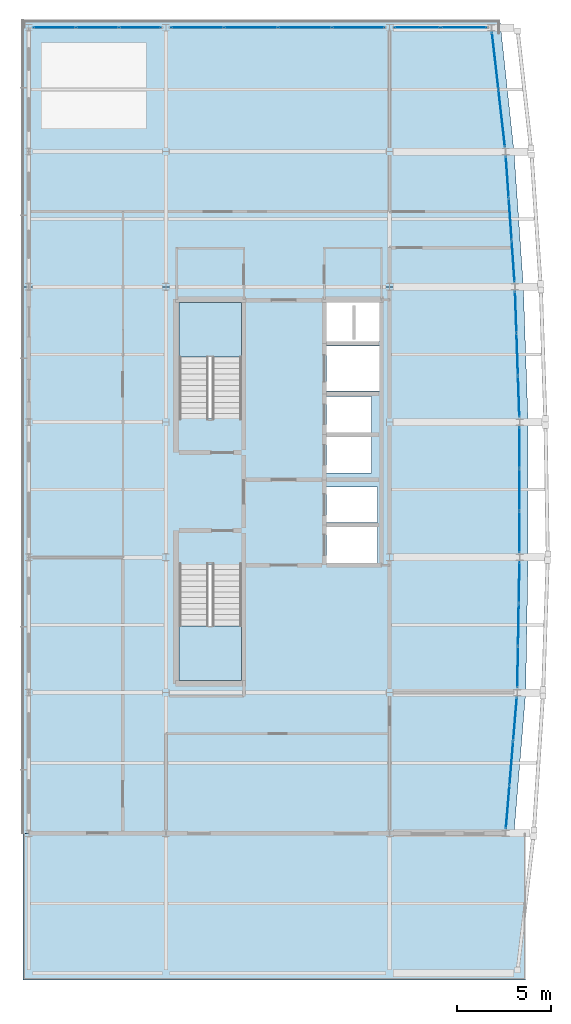
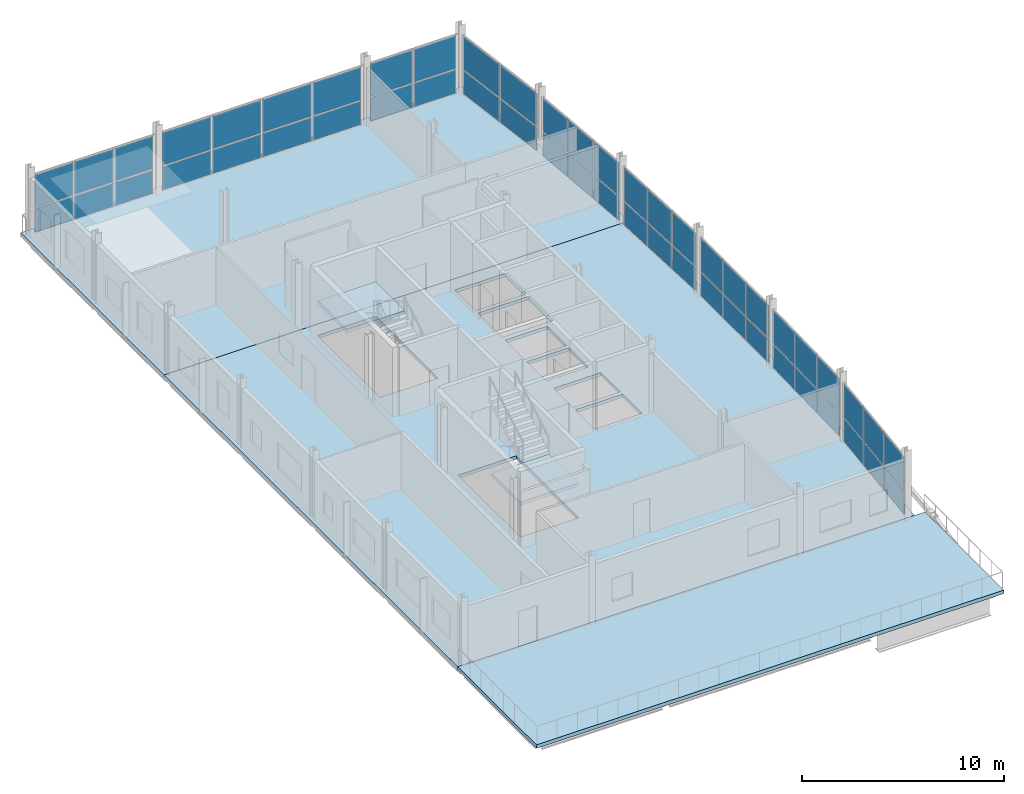
# One storey, part 13 of 19: 52 plates, 5 slabs, 11 elements without a shape of their own.
"""IFC4 building model written with IfcOpenShell, lengths in metres."""

from ifc_helpers import new_model, si_unit, direction, frame, origin, origin_2d, place, context, subcontext, project, spatial, polyline, rectangle, outline, extrude, material, layer, layer_set, type_object, element, aggregate, save


model = new_model("IFC4")

# Units and contexts
model_context = context("Model", 3, precision=1e-05, world=origin(), true_north=direction((0.0, 1.0)))
body_context = subcontext(model_context, "Body", "Model", "MODEL_VIEW")
ifc_project = project(units=[si_unit("LENGTHUNIT", "METRE"), si_unit("AREAUNIT", "SQUARE_METRE"), si_unit("VOLUMEUNIT", "CUBIC_METRE"), si_unit("PLANEANGLEUNIT", "RADIAN"), si_unit("MASSUNIT", "GRAM", prefix="KILO")], contexts=[model_context])

# Site, building, storey
site_placement = place(None, origin())
site = spatial("IfcSite", under=ifc_project, at=site_placement, CompositionType="ELEMENT")
building_placement = place(site_placement, origin())
building = spatial("IfcBuilding", under=site, at=building_placement, Name="Quillay Park Conservatory", CompositionType="ELEMENT")
storey_placement = place(building_placement, frame((0.0, 0.0, 35.10009765625)))
storey = spatial("IfcBuildingStorey", under=building, at=storey_placement, Name="L08", CompositionType="ELEMENT", Elevation=35.10009765625)

# Curtain wall, plates
ifc_material_1 = material(Name="Thermally Broken Anodised Aluminium 6063-T6", Category="aluminium")
ifc_layer_1 = layer(ifc_material_1, 0.179931640625)
ifc_layer_set_1 = layer_set([ifc_layer_1], Name="UNITISED CURTAIN WALL TOWER (Thermally Broken Anodised Aluminium 6063-T6)")
curtain_wall_type = type_object("IfcCurtainWallType", Name="UNITISED CURTAIN WALL TOWER", PredefinedType="USERDEFINED", material=ifc_layer_set_1)
curtain_wall_1_placement = place(storey_placement, origin())
curtain_wall_1 = element("IfcCurtainWall", 1, at=curtain_wall_1_placement, inside=storey, type_object=curtain_wall_type, Name="L08 Unitised Curtain Wall 078", ObjectType="UNITISED CURTAIN WALL", PredefinedType="USERDEFINED")
ifc_material_2 = material(Name="Low-E Double Glazing (Laminated Tempered)", Category="glass")
ifc_layer_2 = layer(ifc_material_2, 0.028076171875)
ifc_layer_set_2 = layer_set([ifc_layer_2], Name="CURTAIN WALL GLAZED PANEL 28 (Low-E Double Glazing (Laminated Tempered))")
plate_type = type_object("IfcPlateType", Name="CURTAIN WALL GLAZED PANEL 28", PredefinedType="CURTAIN_PANEL", material=ifc_layer_set_2)
plate_1_placement = place(storey_placement, frame((26.433349609375, 76.599609375, 0.06982421875), z_axis=(0.0, 0.0, 1.0), x_axis=(-0.083047802572, -0.996545564682, 0.0)))
plate_1 = element("IfcPlate", 2, at=plate_1_placement, type_object=plate_type, Name="CW-T1 panel 1.1", PredefinedType="CURTAIN_PANEL", context=body_context, shape_type="SweptSolid", body=[
    extrude(rectangle(XDim=2.270263671875, YDim=0.028076171875, at=origin_2d()), origin(), (0.0, 0.0, 1.0), 1.406494140625),
])
plate_2_placement = place(storey_placement, frame((26.433349609375, 76.599609375, 1.54638671875), z_axis=(0.0, 0.0, 1.0), x_axis=(-0.083047802572, -0.996545564682, 0.0)))
plate_2 = element("IfcPlate", 3, at=plate_2_placement, type_object=plate_type, Name="CW-T1 panel 1.2", PredefinedType="CURTAIN_PANEL", context=body_context, shape_type="SweptSolid", body=[
    extrude(rectangle(XDim=2.270263671875, YDim=0.028076171875, at=origin_2d()), origin(), (0.0, 0.0, 1.0), 1.982421875),
])
plate_3_placement = place(storey_placement, frame((26.237548828125, 74.25, 0.06982421875), z_axis=(0.0, 0.0, 1.0), x_axis=(-0.083047802572, -0.996545564682, 0.0)))
plate_3 = element("IfcPlate", 4, at=plate_3_placement, type_object=plate_type, Name="CW-T1 panel 2.1", PredefinedType="CURTAIN_PANEL", context=body_context, shape_type="SweptSolid", body=[
    extrude(rectangle(XDim=2.305419921875, YDim=0.028076171875, at=origin_2d()), origin(), (0.0, 0.0, 1.0), 1.406494140625),
])
plate_4_placement = place(storey_placement, frame((26.237548828125, 74.25, 1.54638671875), z_axis=(0.0, 0.0, 1.0), x_axis=(-0.083047802572, -0.996545564682, 0.0)))
plate_4 = element("IfcPlate", 5, at=plate_4_placement, type_object=plate_type, Name="CW-T1 panel 2.2", PredefinedType="CURTAIN_PANEL", context=body_context, shape_type="SweptSolid", body=[
    extrude(rectangle(XDim=2.305419921875, YDim=0.028076171875, at=origin_2d()), origin(), (0.0, 0.0, 1.0), 1.982421875),
])
plate_5_placement = place(storey_placement, frame((26.041748046875, 71.900390625, 0.06982421875), z_axis=(0.0, 0.0, 1.0), x_axis=(-0.083047802572, -0.996545564682, 0.0)))
plate_5 = element("IfcPlate", 6, at=plate_5_placement, type_object=plate_type, Name="CW-T1 panel 3.1", PredefinedType="CURTAIN_PANEL", context=body_context, shape_type="SweptSolid", body=[
    extrude(rectangle(XDim=2.270263671875, YDim=0.028076171875, at=origin_2d()), origin(), (0.0, 0.0, 1.0), 1.406494140625),
])
plate_6_placement = place(storey_placement, frame((26.041748046875, 71.900390625, 1.54638671875), z_axis=(0.0, 0.0, 1.0), x_axis=(-0.083047802572, -0.996545564682, 0.0)))
plate_6 = element("IfcPlate", 7, at=plate_6_placement, type_object=plate_type, Name="CW-T1 panel 3.2", PredefinedType="CURTAIN_PANEL", context=body_context, shape_type="SweptSolid", body=[
    extrude(rectangle(XDim=2.270263671875, YDim=0.028076171875, at=origin_2d()), origin(), (0.0, 0.0, 1.0), 1.982421875),
])
aggregate(curtain_wall_1, [plate_1, plate_2, plate_3, plate_4, plate_5, plate_6])

curtain_wall_2_placement = place(storey_placement, origin())
curtain_wall_2 = element("IfcCurtainWall", 8, at=curtain_wall_2_placement, inside=storey, type_object=curtain_wall_type, Name="L08 Unitised Curtain Wall 079", ObjectType="UNITISED CURTAIN WALL", PredefinedType="USERDEFINED")
plate_7_placement = place(storey_placement, frame((26.651611328125, 83.84912109375, 0.06982421875), z_axis=(0.0, 0.0, 1.0), x_axis=(-0.017350329071, -0.999849471711, 0.0)))
plate_7 = element("IfcPlate", 9, at=plate_7_placement, type_object=plate_type, Name="CW-T1 panel 1.1", PredefinedType="CURTAIN_PANEL", context=body_context, shape_type="SweptSolid", body=[
    extrude(rectangle(XDim=2.162109375, YDim=0.028076171875, at=origin_2d()), origin(), (0.0, 0.0, 1.0), 1.406494140625),
])
plate_8_placement = place(storey_placement, frame((26.651611328125, 83.84912109375, 1.54638671875), z_axis=(0.0, 0.0, 1.0), x_axis=(-0.017350329071, -0.999849471711, 0.0)))
plate_8 = element("IfcPlate", 10, at=plate_8_placement, type_object=plate_type, Name="CW-T1 panel 1.2", PredefinedType="CURTAIN_PANEL", context=body_context, shape_type="SweptSolid", body=[
    extrude(rectangle(XDim=2.162109375, YDim=0.028076171875, at=origin_2d()), origin(), (0.0, 0.0, 1.0), 1.982421875),
])
plate_9_placement = place(storey_placement, frame((26.612548828125, 81.60009765625, 0.06982421875), z_axis=(0.0, 0.0, 1.0), x_axis=(-0.017350329071, -0.999849471711, 0.0)))
plate_9 = element("IfcPlate", 11, at=plate_9_placement, type_object=plate_type, Name="CW-T1 panel 2.1", PredefinedType="CURTAIN_PANEL", context=body_context, shape_type="SweptSolid", body=[
    extrude(rectangle(XDim=2.197021484375, YDim=0.028076171875, at=origin_2d()), origin(), (0.0, 0.0, 1.0), 1.406494140625),
])
plate_10_placement = place(storey_placement, frame((26.612548828125, 81.60009765625, 1.54638671875), z_axis=(0.0, 0.0, 1.0), x_axis=(-0.017350329071, -0.999849471711, 0.0)))
plate_10 = element("IfcPlate", 12, at=plate_10_placement, type_object=plate_type, Name="CW-T1 panel 2.2", PredefinedType="CURTAIN_PANEL", context=body_context, shape_type="SweptSolid", body=[
    extrude(rectangle(XDim=2.197021484375, YDim=0.028076171875, at=origin_2d()), origin(), (0.0, 0.0, 1.0), 1.982421875),
])
plate_11_placement = place(storey_placement, frame((26.573486328125, 79.350830078125, 0.06982421875), z_axis=(0.0, 0.0, 1.0), x_axis=(-0.017350329071, -0.999849471711, 0.0)))
plate_11 = element("IfcPlate", 13, at=plate_11_placement, type_object=plate_type, Name="CW-T1 panel 3.1", PredefinedType="CURTAIN_PANEL", context=body_context, shape_type="SweptSolid", body=[
    extrude(rectangle(XDim=2.162109375, YDim=0.028076171875, at=origin_2d()), origin(), (0.0, 0.0, 1.0), 1.406494140625),
])
plate_12_placement = place(storey_placement, frame((26.573486328125, 79.350830078125, 1.54638671875), z_axis=(0.0, 0.0, 1.0), x_axis=(-0.017350329071, -0.999849471711, 0.0)))
plate_12 = element("IfcPlate", 14, at=plate_12_placement, type_object=plate_type, Name="CW-T1 panel 3.2", PredefinedType="CURTAIN_PANEL", context=body_context, shape_type="SweptSolid", body=[
    extrude(rectangle(XDim=2.162109375, YDim=0.028076171875, at=origin_2d()), origin(), (0.0, 0.0, 1.0), 1.982421875),
])
aggregate(curtain_wall_2, [plate_7, plate_8, plate_9, plate_10, plate_11, plate_12])

curtain_wall_3_placement = place(storey_placement, origin())
curtain_wall_3 = element("IfcCurtainWall", 15, at=curtain_wall_3_placement, inside=storey, type_object=curtain_wall_type, Name="L08 Unitised Curtain Wall 080", ObjectType="UNITISED CURTAIN WALL", PredefinedType="USERDEFINED")
plate_13_placement = place(storey_placement, frame((26.675048828125, 91.049072265625, 0.06982421875), z_axis=(0.0, 0.0, 1.0), x_axis=(0.0, -1.0, 0.0)))
plate_13 = element("IfcPlate", 16, at=plate_13_placement, type_object=plate_type, Name="CW-T1 panel 1.1", PredefinedType="CURTAIN_PANEL", context=body_context, shape_type="SweptSolid", body=[
    extrude(rectangle(XDim=2.16162109375, YDim=0.028076171875, at=origin_2d()), origin(), (0.0, 0.0, 1.0), 1.406494140625),
])
plate_14_placement = place(storey_placement, frame((26.675048828125, 91.049072265625, 1.54638671875), z_axis=(0.0, 0.0, 1.0), x_axis=(0.0, -1.0, 0.0)))
plate_14 = element("IfcPlate", 17, at=plate_14_placement, type_object=plate_type, Name="CW-T1 panel 1.2", PredefinedType="CURTAIN_PANEL", context=body_context, shape_type="SweptSolid", body=[
    extrude(rectangle(XDim=2.16162109375, YDim=0.028076171875, at=origin_2d()), origin(), (0.0, 0.0, 1.0), 1.982421875),
])
plate_15_placement = place(storey_placement, frame((26.675048828125, 88.800048828125, 0.06982421875), z_axis=(0.0, 0.0, 1.0), x_axis=(0.0, -1.0, 0.0)))
plate_15 = element("IfcPlate", 18, at=plate_15_placement, type_object=plate_type, Name="CW-T1 panel 2.1", PredefinedType="CURTAIN_PANEL", context=body_context, shape_type="SweptSolid", body=[
    extrude(rectangle(XDim=2.19677734375, YDim=0.028076171875, at=origin_2d()), origin(), (0.0, 0.0, 1.0), 1.406494140625),
])
plate_16_placement = place(storey_placement, frame((26.675048828125, 88.800048828125, 1.54638671875), z_axis=(0.0, 0.0, 1.0), x_axis=(0.0, -1.0, 0.0)))
plate_16 = element("IfcPlate", 19, at=plate_16_placement, type_object=plate_type, Name="CW-T1 panel 2.2", PredefinedType="CURTAIN_PANEL", context=body_context, shape_type="SweptSolid", body=[
    extrude(rectangle(XDim=2.19677734375, YDim=0.028076171875, at=origin_2d()), origin(), (0.0, 0.0, 1.0), 1.982421875),
])
plate_17_placement = place(storey_placement, frame((26.675048828125, 86.55078125, 0.06982421875), z_axis=(0.0, 0.0, 1.0), x_axis=(0.0, -1.0, 0.0)))
plate_17 = element("IfcPlate", 20, at=plate_17_placement, type_object=plate_type, Name="CW-T1 panel 3.1", PredefinedType="CURTAIN_PANEL", context=body_context, shape_type="SweptSolid", body=[
    extrude(rectangle(XDim=2.16162109375, YDim=0.028076171875, at=origin_2d()), origin(), (0.0, 0.0, 1.0), 1.406494140625),
])
plate_18_placement = place(storey_placement, frame((26.675048828125, 86.55078125, 1.54638671875), z_axis=(0.0, 0.0, 1.0), x_axis=(0.0, -1.0, 0.0)))
plate_18 = element("IfcPlate", 21, at=plate_18_placement, type_object=plate_type, Name="CW-T1 panel 3.2", PredefinedType="CURTAIN_PANEL", context=body_context, shape_type="SweptSolid", body=[
    extrude(rectangle(XDim=2.16162109375, YDim=0.028076171875, at=origin_2d()), origin(), (0.0, 0.0, 1.0), 1.982421875),
])
aggregate(curtain_wall_3, [plate_13, plate_14, plate_15, plate_16, plate_17, plate_18])

curtain_wall_4_placement = place(storey_placement, origin())
curtain_wall_4 = element("IfcCurtainWall", 22, at=curtain_wall_4_placement, inside=storey, type_object=curtain_wall_type, Name="L08 Unitised Curtain Wall 081", ObjectType="UNITISED CURTAIN WALL", PredefinedType="USERDEFINED")
plate_19_placement = place(storey_placement, frame((26.471923828125, 98.249267578125, 0.06982421875), z_axis=(0.0, 0.0, 1.0), x_axis=(0.034713338537, -0.999397310446, 0.0)))
plate_19 = element("IfcPlate", 23, at=plate_19_placement, type_object=plate_type, Name="CW-T1 panel 1.1", PredefinedType="CURTAIN_PANEL", context=body_context, shape_type="SweptSolid", body=[
    extrude(rectangle(XDim=2.1630859375, YDim=0.028076171875, at=origin_2d()), origin(), (0.0, 0.0, 1.0), 1.406494140625),
])
plate_20_placement = place(storey_placement, frame((26.471923828125, 98.249267578125, 1.54638671875), z_axis=(0.0, 0.0, 1.0), x_axis=(0.034713338537, -0.999397310446, 0.0)))
plate_20 = element("IfcPlate", 24, at=plate_20_placement, type_object=plate_type, Name="CW-T1 panel 1.2", PredefinedType="CURTAIN_PANEL", context=body_context, shape_type="SweptSolid", body=[
    extrude(rectangle(XDim=2.1630859375, YDim=0.028076171875, at=origin_2d()), origin(), (0.0, 0.0, 1.0), 1.982421875),
])
plate_21_placement = place(storey_placement, frame((26.550048828125, 96.0, 0.06982421875), z_axis=(0.0, 0.0, 1.0), x_axis=(0.034713338537, -0.999397310446, 0.0)))
plate_21 = element("IfcPlate", 25, at=plate_21_placement, type_object=plate_type, Name="CW-T1 panel 2.1", PredefinedType="CURTAIN_PANEL", context=body_context, shape_type="SweptSolid", body=[
    extrude(rectangle(XDim=2.197998046875, YDim=0.028076171875, at=origin_2d()), origin(), (0.0, 0.0, 1.0), 1.406494140625),
])
plate_22_placement = place(storey_placement, frame((26.550048828125, 96.0, 1.54638671875), z_axis=(0.0, 0.0, 1.0), x_axis=(0.034713338537, -0.999397310446, 0.0)))
plate_22 = element("IfcPlate", 26, at=plate_22_placement, type_object=plate_type, Name="CW-T1 panel 2.2", PredefinedType="CURTAIN_PANEL", context=body_context, shape_type="SweptSolid", body=[
    extrude(rectangle(XDim=2.197998046875, YDim=0.028076171875, at=origin_2d()), origin(), (0.0, 0.0, 1.0), 1.982421875),
])
plate_23_placement = place(storey_placement, frame((26.628173828125, 93.750732421875, 0.06982421875), z_axis=(0.0, 0.0, 1.0), x_axis=(0.034713338537, -0.999397310446, 0.0)))
plate_23 = element("IfcPlate", 27, at=plate_23_placement, type_object=plate_type, Name="CW-T1 panel 3.1", PredefinedType="CURTAIN_PANEL", context=body_context, shape_type="SweptSolid", body=[
    extrude(rectangle(XDim=2.1630859375, YDim=0.028076171875, at=origin_2d()), origin(), (0.0, 0.0, 1.0), 1.406494140625),
])
plate_24_placement = place(storey_placement, frame((26.628173828125, 93.750732421875, 1.54638671875), z_axis=(0.0, 0.0, 1.0), x_axis=(0.034713338537, -0.999397310446, 0.0)))
plate_24 = element("IfcPlate", 28, at=plate_24_placement, type_object=plate_type, Name="CW-T1 panel 3.2", PredefinedType="CURTAIN_PANEL", context=body_context, shape_type="SweptSolid", body=[
    extrude(rectangle(XDim=2.1630859375, YDim=0.028076171875, at=origin_2d()), origin(), (0.0, 0.0, 1.0), 1.982421875),
])
aggregate(curtain_wall_4, [plate_19, plate_20, plate_21, plate_22, plate_23, plate_24])

curtain_wall_5_placement = place(storey_placement, origin())
curtain_wall_5 = element("IfcCurtainWall", 29, at=curtain_wall_5_placement, inside=storey, type_object=curtain_wall_type, Name="L08 Unitised Curtain Wall 082", ObjectType="UNITISED CURTAIN WALL", PredefinedType="USERDEFINED")
plate_25_placement = place(storey_placement, frame((26.018798828125, 105.449462890625, 0.06982421875), z_axis=(0.0, 0.0, 1.0), x_axis=(0.069264217159, -0.99759835015, 0.0)))
plate_25 = element("IfcPlate", 30, at=plate_25_placement, type_object=plate_type, Name="CW-T1 panel 1.1", PredefinedType="CURTAIN_PANEL", context=body_context, shape_type="SweptSolid", body=[
    extrude(rectangle(XDim=2.16748046875, YDim=0.028076171875, at=origin_2d()), origin(), (0.0, 0.0, 1.0), 1.406494140625),
])
plate_26_placement = place(storey_placement, frame((26.018798828125, 105.449462890625, 1.54638671875), z_axis=(0.0, 0.0, 1.0), x_axis=(0.069264217159, -0.99759835015, 0.0)))
plate_26 = element("IfcPlate", 31, at=plate_26_placement, type_object=plate_type, Name="CW-T1 panel 1.2", PredefinedType="CURTAIN_PANEL", context=body_context, shape_type="SweptSolid", body=[
    extrude(rectangle(XDim=2.16748046875, YDim=0.028076171875, at=origin_2d()), origin(), (0.0, 0.0, 1.0), 1.982421875),
])
plate_27_placement = place(storey_placement, frame((26.175048828125, 103.199951171875, 0.06982421875), z_axis=(0.0, 0.0, 1.0), x_axis=(0.069264217159, -0.99759835015, 0.0)))
plate_27 = element("IfcPlate", 32, at=plate_27_placement, type_object=plate_type, Name="CW-T1 panel 2.1", PredefinedType="CURTAIN_PANEL", context=body_context, shape_type="SweptSolid", body=[
    extrude(rectangle(XDim=2.202392578125, YDim=0.028076171875, at=origin_2d()), origin(), (0.0, 0.0, 1.0), 1.406494140625),
])
plate_28_placement = place(storey_placement, frame((26.175048828125, 103.199951171875, 1.54638671875), z_axis=(0.0, 0.0, 1.0), x_axis=(0.069264217159, -0.99759835015, 0.0)))
plate_28 = element("IfcPlate", 33, at=plate_28_placement, type_object=plate_type, Name="CW-T1 panel 2.2", PredefinedType="CURTAIN_PANEL", context=body_context, shape_type="SweptSolid", body=[
    extrude(rectangle(XDim=2.202392578125, YDim=0.028076171875, at=origin_2d()), origin(), (0.0, 0.0, 1.0), 1.982421875),
])
plate_29_placement = place(storey_placement, frame((26.331298828125, 100.950439453125, 0.06982421875), z_axis=(0.0, 0.0, 1.0), x_axis=(0.069264217159, -0.99759835015, 0.0)))
plate_29 = element("IfcPlate", 34, at=plate_29_placement, type_object=plate_type, Name="CW-T1 panel 3.1", PredefinedType="CURTAIN_PANEL", context=body_context, shape_type="SweptSolid", body=[
    extrude(rectangle(XDim=2.16748046875, YDim=0.028076171875, at=origin_2d()), origin(), (0.0, 0.0, 1.0), 1.406494140625),
])
plate_30_placement = place(storey_placement, frame((26.331298828125, 100.950439453125, 1.54638671875), z_axis=(0.0, 0.0, 1.0), x_axis=(0.069264217159, -0.99759835015, 0.0)))
plate_30 = element("IfcPlate", 35, at=plate_30_placement, type_object=plate_type, Name="CW-T1 panel 3.2", PredefinedType="CURTAIN_PANEL", context=body_context, shape_type="SweptSolid", body=[
    extrude(rectangle(XDim=2.16748046875, YDim=0.028076171875, at=origin_2d()), origin(), (0.0, 0.0, 1.0), 1.982421875),
])
aggregate(curtain_wall_5, [plate_25, plate_26, plate_27, plate_28, plate_29, plate_30])

curtain_wall_6_placement = place(storey_placement, origin())
curtain_wall_6 = element("IfcCurtainWall", 36, at=curtain_wall_6_placement, inside=storey, type_object=curtain_wall_type, Name="L08 Unitised Curtain Wall 083", ObjectType="UNITISED CURTAIN WALL", PredefinedType="USERDEFINED")
plate_31_placement = place(storey_placement, frame((25.375732421875, 111.63330078125, 0.06982421875), z_axis=(0.0, 0.0, 1.0), x_axis=(0.112903218278, -0.993605989969, 0.0)))
plate_31 = element("IfcPlate", 37, at=plate_31_placement, type_object=plate_type, Name="CW-T1 panel 1.1", PredefinedType="CURTAIN_PANEL", context=body_context, shape_type="SweptSolid", body=[
    extrude(rectangle(XDim=3.016357421875, YDim=0.028076171875, at=origin_2d()), origin(), (0.0, 0.0, 1.0), 1.406494140625),
])
plate_32_placement = place(storey_placement, frame((25.375732421875, 111.63330078125, 1.54638671875), z_axis=(0.0, 0.0, 1.0), x_axis=(0.112903218278, -0.993605989969, 0.0)))
plate_32 = element("IfcPlate", 38, at=plate_32_placement, type_object=plate_type, Name="CW-T1 panel 1.2", PredefinedType="CURTAIN_PANEL", context=body_context, shape_type="SweptSolid", body=[
    extrude(rectangle(XDim=3.016357421875, YDim=0.028076171875, at=origin_2d()), origin(), (0.0, 0.0, 1.0), 1.982421875),
])
plate_33_placement = place(storey_placement, frame((25.72412109375, 108.566650390625, 0.06982421875), z_axis=(0.0, 0.0, 1.0), x_axis=(0.112903218278, -0.993605989969, 0.0)))
plate_33 = element("IfcPlate", 39, at=plate_33_placement, type_object=plate_type, Name="CW-T1 panel 2.1", PredefinedType="CURTAIN_PANEL", context=body_context, shape_type="SweptSolid", body=[
    extrude(rectangle(XDim=3.016357421875, YDim=0.028076171875, at=origin_2d()), origin(), (0.0, 0.0, 1.0), 1.406494140625),
])
plate_34_placement = place(storey_placement, frame((25.72412109375, 108.566650390625, 1.54638671875), z_axis=(0.0, 0.0, 1.0), x_axis=(0.112903218278, -0.993605989969, 0.0)))
plate_34 = element("IfcPlate", 40, at=plate_34_placement, type_object=plate_type, Name="CW-T1 panel 2.2", PredefinedType="CURTAIN_PANEL", context=body_context, shape_type="SweptSolid", body=[
    extrude(rectangle(XDim=3.016357421875, YDim=0.028076171875, at=origin_2d()), origin(), (0.0, 0.0, 1.0), 1.982421875),
])
aggregate(curtain_wall_6, [plate_31, plate_32, plate_33, plate_34])

curtain_wall_7_placement = place(storey_placement, origin())
curtain_wall_7 = element("IfcCurtainWall", 41, at=curtain_wall_7_placement, inside=storey, type_object=curtain_wall_type, Name="L08 Unitised Curtain Wall 084", ObjectType="UNITISED CURTAIN WALL", PredefinedType="USERDEFINED")
plate_35_placement = place(storey_placement, frame((1.91748046875, 113.39990234375, 0.06982421875), z_axis=(0.0, 0.0, 1.0), x_axis=(1.0, 0.0, 0.0)))
plate_35 = element("IfcPlate", 42, at=plate_35_placement, type_object=plate_type, Name="CW-T1 panel 1.1", PredefinedType="CURTAIN_PANEL", context=body_context, shape_type="SweptSolid", body=[
    extrude(rectangle(XDim=2.195068359375, YDim=0.028076171875, at=origin_2d()), origin(), (0.0, 0.0, 1.0), 1.406494140625),
])
plate_36_placement = place(storey_placement, frame((1.91748046875, 113.39990234375, 1.54638671875), z_axis=(0.0, 0.0, 1.0), x_axis=(1.0, 0.0, 0.0)))
plate_36 = element("IfcPlate", 43, at=plate_36_placement, type_object=plate_type, Name="CW-T1 panel 1.2", PredefinedType="CURTAIN_PANEL", context=body_context, shape_type="SweptSolid", body=[
    extrude(rectangle(XDim=2.195068359375, YDim=0.028076171875, at=origin_2d()), origin(), (0.0, 0.0, 1.0), 1.982421875),
])
plate_37_placement = place(storey_placement, frame((4.199951171875, 113.39990234375, 0.06982421875), z_axis=(0.0, 0.0, 1.0), x_axis=(1.0, 0.0, 0.0)))
plate_37 = element("IfcPlate", 44, at=plate_37_placement, type_object=plate_type, Name="CW-T1 panel 2.1", PredefinedType="CURTAIN_PANEL", context=body_context, shape_type="SweptSolid", body=[
    extrude(rectangle(XDim=2.22998046875, YDim=0.028076171875, at=origin_2d()), origin(), (0.0, 0.0, 1.0), 1.406494140625),
])
plate_38_placement = place(storey_placement, frame((4.199951171875, 113.39990234375, 1.54638671875), z_axis=(0.0, 0.0, 1.0), x_axis=(1.0, 0.0, 0.0)))
plate_38 = element("IfcPlate", 45, at=plate_38_placement, type_object=plate_type, Name="CW-T1 panel 2.2", PredefinedType="CURTAIN_PANEL", context=body_context, shape_type="SweptSolid", body=[
    extrude(rectangle(XDim=2.22998046875, YDim=0.028076171875, at=origin_2d()), origin(), (0.0, 0.0, 1.0), 1.982421875),
])
plate_39_placement = place(storey_placement, frame((6.482421875, 113.39990234375, 0.06982421875), z_axis=(0.0, 0.0, 1.0), x_axis=(1.0, 0.0, 0.0)))
plate_39 = element("IfcPlate", 46, at=plate_39_placement, type_object=plate_type, Name="CW-T1 panel 3.1", PredefinedType="CURTAIN_PANEL", context=body_context, shape_type="SweptSolid", body=[
    extrude(rectangle(XDim=2.195068359375, YDim=0.028076171875, at=origin_2d()), origin(), (0.0, 0.0, 1.0), 1.406494140625),
])
plate_40_placement = place(storey_placement, frame((6.482421875, 113.39990234375, 1.54638671875), z_axis=(0.0, 0.0, 1.0), x_axis=(1.0, 0.0, 0.0)))
plate_40 = element("IfcPlate", 47, at=plate_40_placement, type_object=plate_type, Name="CW-T1 panel 3.2", PredefinedType="CURTAIN_PANEL", context=body_context, shape_type="SweptSolid", body=[
    extrude(rectangle(XDim=2.195068359375, YDim=0.028076171875, at=origin_2d()), origin(), (0.0, 0.0, 1.0), 1.982421875),
])
aggregate(curtain_wall_7, [plate_35, plate_36, plate_37, plate_38, plate_39, plate_40])

curtain_wall_8_placement = place(storey_placement, origin())
curtain_wall_8 = element("IfcCurtainWall", 48, at=curtain_wall_8_placement, inside=storey, type_object=curtain_wall_type, Name="L08 Unitised Curtain Wall 085", ObjectType="UNITISED CURTAIN WALL", PredefinedType="USERDEFINED")
plate_41_placement = place(storey_placement, frame((9.5048828125, 113.39990234375, 0.06982421875), z_axis=(0.0, 0.0, 1.0), x_axis=(1.0, 0.0, 0.0)))
plate_41 = element("IfcPlate", 49, at=plate_41_placement, type_object=plate_type, Name="CW-T1 panel 1.1", PredefinedType="CURTAIN_PANEL", context=body_context, shape_type="SweptSolid", body=[
    extrude(rectangle(XDim=2.77001953125, YDim=0.028076171875, at=origin_2d()), origin(), (0.0, 0.0, 1.0), 1.406494140625),
])
plate_42_placement = place(storey_placement, frame((9.5048828125, 113.39990234375, 1.54638671875), z_axis=(0.0, 0.0, 1.0), x_axis=(1.0, 0.0, 0.0)))
plate_42 = element("IfcPlate", 50, at=plate_42_placement, type_object=plate_type, Name="CW-T1 panel 1.2", PredefinedType="CURTAIN_PANEL", context=body_context, shape_type="SweptSolid", body=[
    extrude(rectangle(XDim=2.77001953125, YDim=0.028076171875, at=origin_2d()), origin(), (0.0, 0.0, 1.0), 1.982421875),
])
plate_43_placement = place(storey_placement, frame((12.362548828125, 113.39990234375, 0.06982421875), z_axis=(0.0, 0.0, 1.0), x_axis=(1.0, 0.0, 0.0)))
plate_43 = element("IfcPlate", 51, at=plate_43_placement, type_object=plate_type, Name="CW-T1 panel 2.1", PredefinedType="CURTAIN_PANEL", context=body_context, shape_type="SweptSolid", body=[
    extrude(rectangle(XDim=2.804931640625, YDim=0.028076171875, at=origin_2d()), origin(), (0.0, 0.0, 1.0), 1.406494140625),
])
plate_44_placement = place(storey_placement, frame((12.362548828125, 113.39990234375, 1.54638671875), z_axis=(0.0, 0.0, 1.0), x_axis=(1.0, 0.0, 0.0)))
plate_44 = element("IfcPlate", 52, at=plate_44_placement, type_object=plate_type, Name="CW-T1 panel 2.2", PredefinedType="CURTAIN_PANEL", context=body_context, shape_type="SweptSolid", body=[
    extrude(rectangle(XDim=2.804931640625, YDim=0.028076171875, at=origin_2d()), origin(), (0.0, 0.0, 1.0), 1.982421875),
])
plate_45_placement = place(storey_placement, frame((15.237548828125, 113.39990234375, 0.06982421875), z_axis=(0.0, 0.0, 1.0), x_axis=(1.0, 0.0, 0.0)))
plate_45 = element("IfcPlate", 53, at=plate_45_placement, type_object=plate_type, Name="CW-T1 panel 3.1", PredefinedType="CURTAIN_PANEL", context=body_context, shape_type="SweptSolid", body=[
    extrude(rectangle(XDim=2.804931640625, YDim=0.028076171875, at=origin_2d()), origin(), (0.0, 0.0, 1.0), 1.406494140625),
])
plate_46_placement = place(storey_placement, frame((15.237548828125, 113.39990234375, 1.54638671875), z_axis=(0.0, 0.0, 1.0), x_axis=(1.0, 0.0, 0.0)))
plate_46 = element("IfcPlate", 54, at=plate_46_placement, type_object=plate_type, Name="CW-T1 panel 3.2", PredefinedType="CURTAIN_PANEL", context=body_context, shape_type="SweptSolid", body=[
    extrude(rectangle(XDim=2.804931640625, YDim=0.028076171875, at=origin_2d()), origin(), (0.0, 0.0, 1.0), 1.982421875),
])
plate_47_placement = place(storey_placement, frame((18.094970703125, 113.39990234375, 0.06982421875), z_axis=(0.0, 0.0, 1.0), x_axis=(1.0, 0.0, 0.0)))
plate_47 = element("IfcPlate", 55, at=plate_47_placement, type_object=plate_type, Name="CW-T1 panel 4.1", PredefinedType="CURTAIN_PANEL", context=body_context, shape_type="SweptSolid", body=[
    extrude(rectangle(XDim=2.77001953125, YDim=0.028076171875, at=origin_2d()), origin(), (0.0, 0.0, 1.0), 1.406494140625),
])
plate_48_placement = place(storey_placement, frame((18.094970703125, 113.39990234375, 1.54638671875), z_axis=(0.0, 0.0, 1.0), x_axis=(1.0, 0.0, 0.0)))
plate_48 = element("IfcPlate", 56, at=plate_48_placement, type_object=plate_type, Name="CW-T1 panel 4.2", PredefinedType="CURTAIN_PANEL", context=body_context, shape_type="SweptSolid", body=[
    extrude(rectangle(XDim=2.77001953125, YDim=0.028076171875, at=origin_2d()), origin(), (0.0, 0.0, 1.0), 1.982421875),
])
aggregate(curtain_wall_8, [plate_41, plate_42, plate_43, plate_44, plate_45, plate_46, plate_47, plate_48])

curtain_wall_9_placement = place(storey_placement, origin())
curtain_wall_9 = element("IfcCurtainWall", 57, at=curtain_wall_9_placement, inside=storey, type_object=curtain_wall_type, Name="L08 Unitised Curtain Wall 086", ObjectType="UNITISED CURTAIN WALL", PredefinedType="USERDEFINED")
plate_49_placement = place(storey_placement, frame((21.2236328125, 113.39990234375, 0.06982421875), z_axis=(0.0, 0.0, 1.0), x_axis=(1.0, 0.0, 0.0)))
plate_49 = element("IfcPlate", 58, at=plate_49_placement, type_object=plate_type, Name="CW-T1 panel 1.1", PredefinedType="CURTAIN_PANEL", context=body_context, shape_type="SweptSolid", body=[
    extrude(rectangle(XDim=2.407470703125, YDim=0.028076171875, at=origin_2d()), origin(), (0.0, 0.0, 1.0), 1.406494140625),
])
plate_50_placement = place(storey_placement, frame((21.2236328125, 113.39990234375, 1.54638671875), z_axis=(0.0, 0.0, 1.0), x_axis=(1.0, 0.0, 0.0)))
plate_50 = element("IfcPlate", 59, at=plate_50_placement, type_object=plate_type, Name="CW-T1 panel 1.2", PredefinedType="CURTAIN_PANEL", context=body_context, shape_type="SweptSolid", body=[
    extrude(rectangle(XDim=2.407470703125, YDim=0.028076171875, at=origin_2d()), origin(), (0.0, 0.0, 1.0), 1.982421875),
])
plate_51_placement = place(storey_placement, frame((23.701171875, 113.39990234375, 0.06982421875), z_axis=(0.0, 0.0, 1.0), x_axis=(1.0, 0.0, 0.0)))
plate_51 = element("IfcPlate", 60, at=plate_51_placement, type_object=plate_type, Name="CW-T1 panel 2.1", PredefinedType="CURTAIN_PANEL", context=body_context, shape_type="SweptSolid", body=[
    extrude(rectangle(XDim=2.407470703125, YDim=0.028076171875, at=origin_2d()), origin(), (0.0, 0.0, 1.0), 1.406494140625),
])
plate_52_placement = place(storey_placement, frame((23.701171875, 113.39990234375, 1.54638671875), z_axis=(0.0, 0.0, 1.0), x_axis=(1.0, 0.0, 0.0)))
plate_52 = element("IfcPlate", 61, at=plate_52_placement, type_object=plate_type, Name="CW-T1 panel 2.2", PredefinedType="CURTAIN_PANEL", context=body_context, shape_type="SweptSolid", body=[
    extrude(rectangle(XDim=2.407470703125, YDim=0.028076171875, at=origin_2d()), origin(), (0.0, 0.0, 1.0), 1.982421875),
])
aggregate(curtain_wall_9, [plate_49, plate_50, plate_51, plate_52])

# Slab
ifc_material_3 = material(Name="Concrete C35/45 (NCh170 Concrete C35/45)", Category="concrete")
ifc_layer_3 = layer(ifc_material_3, 0.215087890625)
ifc_layer_set_3 = layer_set([ifc_layer_3], Name="OUTDOOR TERRACE SLAB 215 (Concrete C35/45 (NCh170 Concrete C35/45))")
slab_type_1 = type_object("IfcSlabType", Name="OUTDOOR TERRACE SLAB 215", PredefinedType="FLOOR", material=ifc_layer_set_3)
slab_1_placement = place(storey_placement, frame((0.0, 0.0, -0.215087890625)))
element("IfcSlab", 62, at=slab_1_placement, inside=storey, type_object=slab_type_1, Name="L08 Botanical Sky Terrace Slab", PredefinedType="FLOOR", context=body_context, shape_type="SweptSolid", body=[
    extrude(outline(polyline([(0.25, 62.699951171875), (27.0, 62.699951171875), (27.0, 70.5), (0.25, 70.5), (0.25, 62.699951171875)])), origin(), (0.0, 0.0, 1.0), 0.215087890625),
])

# Stair, slab
ifc_material_4 = material(Name="Concrete C35/45 (NCh170 Concrete C35/45)", Category="concrete")
stair_type = type_object("IfcStairType", Name="ENCLOSED DOG LEG STAIR 4200", PredefinedType="HALF_TURN_STAIR", material=ifc_material_4)
stair_1_placement = place(storey_placement, origin())
stair_1 = element("IfcStair", 63, at=stair_1_placement, inside=storey, type_object=stair_type, Name="L08 Tower Protected Exit Stair 1", PredefinedType="HALF_TURN_STAIR")
ifc_material_5 = material(Name="Concrete C35/45 (NCh170 Concrete C35/45)", Category="concrete")
ifc_layer_4 = layer(ifc_material_5, 0.199951171875)
ifc_layer_set_4 = layer_set([ifc_layer_4], Name="STAIR LANDING SLAB 200 (Concrete C35/45 (NCh170 Concrete C35/45))")
slab_type_2 = type_object("IfcSlabType", Name="STAIR LANDING SLAB 200", PredefinedType="LANDING", material=ifc_layer_set_4)
slab_2_placement = place(storey_placement, frame((0.0, 0.0, 1.89990234375)))
slab_2 = element("IfcSlab", 64, at=slab_2_placement, type_object=slab_type_2, Name="ST-T1 landing 1", PredefinedType="LANDING", context=body_context, shape_type="SweptSolid", body=[
    extrude(outline(polyline([(11.8701171875, 95.85009765625), (11.8701171875, 98.75), (8.550048828125, 98.75), (8.550048828125, 95.85009765625), (11.8701171875, 95.85009765625)])), origin(), (0.0, 0.0, 1.0), 0.199951171875),
])
aggregate(stair_1, [slab_2])

stair_2_placement = place(storey_placement, origin())
stair_2 = element("IfcStair", 65, at=stair_2_placement, inside=storey, type_object=stair_type, Name="L08 Tower Protected Exit Stair 2", PredefinedType="HALF_TURN_STAIR")
slab_3_placement = place(storey_placement, frame((0.0, 0.0, 1.89990234375)))
slab_3 = element("IfcSlab", 66, at=slab_3_placement, type_object=slab_type_2, Name="ST-T2 landing 1", PredefinedType="LANDING", context=body_context, shape_type="SweptSolid", body=[
    extrude(outline(polyline([(8.550048828125, 81.550048828125), (8.550048828125, 78.64990234375), (11.8701171875, 78.64990234375), (11.8701171875, 81.550048828125), (8.550048828125, 81.550048828125)])), origin(), (0.0, 0.0, 1.0), 0.199951171875),
])
aggregate(stair_2, [slab_3])

# Slabs
ifc_material_6 = material(Name="Concrete C35/45 (NCh170 Concrete C35/45)", Category="concrete")
ifc_layer_5 = layer(ifc_material_6, 0.199951171875)
ifc_layer_set_5 = layer_set([ifc_layer_5], Name="SUSPENDED FLOOR SLAB 180 (Concrete C35/45 (NCh170 Concrete C35/45))")
slab_type_3 = type_object("IfcSlabType", Name="SUSPENDED FLOOR SLAB 180", PredefinedType="FLOOR", material=ifc_layer_set_5)
slab_4_placement = place(storey_placement, frame((0.0, 0.0, -0.2001953125)))
element("IfcSlab", 67, at=slab_4_placement, inside=storey, type_object=slab_type_3, Name="L08 Research Tower South Chord Plate", PredefinedType="FLOOR", context=body_context, shape_type="SweptSolid", body=[
    extrude(outline(polyline([(0.25, 70.5), (26.375, 70.5), (27.0, 78.0), (27.125, 85.199951171875), (27.125, 92.39990234375), (26.875, 99.60009765625), (0.25, 99.60009765625), (0.25, 70.5)]), holes=[polyline([(8.550048828125, 92.580078125), (11.8701171875, 92.580078125), (11.8701171875, 98.75), (8.550048828125, 98.75), (8.550048828125, 92.580078125)]), polyline([(8.550048828125, 78.64990234375), (11.8701171875, 78.64990234375), (11.8701171875, 84.820068359375), (8.550048828125, 84.820068359375), (8.550048828125, 78.64990234375)]), polyline([(16.39990234375, 84.89990234375), (19.10009765625, 84.89990234375), (19.10009765625, 86.800048828125), (16.39990234375, 86.800048828125), (16.39990234375, 84.89990234375)]), polyline([(16.39990234375, 87.050048828125), (19.10009765625, 87.050048828125), (19.10009765625, 88.949951171875), (16.39990234375, 88.949951171875), (16.39990234375, 87.050048828125)]), polyline([(16.39990234375, 89.699951171875), (18.800048828125, 89.699951171875), (18.800048828125, 91.60009765625), (16.39990234375, 91.60009765625), (16.39990234375, 89.699951171875)]), polyline([(16.39990234375, 91.85009765625), (18.800048828125, 91.85009765625), (18.800048828125, 93.75), (16.39990234375, 93.75), (16.39990234375, 91.85009765625)]), polyline([(16.39990234375, 94.050048828125), (19.300048828125, 94.050048828125), (19.300048828125, 96.449951171875), (16.39990234375, 96.449951171875), (16.39990234375, 94.050048828125)]), polyline([(16.39990234375, 96.699951171875), (19.300048828125, 96.699951171875), (19.300048828125, 98.75), (16.39990234375, 98.75), (16.39990234375, 96.699951171875)])]), origin(), (0.0, 0.0, 1.0), 0.2001953125),
])
slab_5_placement = place(storey_placement, frame((0.0, 0.0, -0.2001953125)))
element("IfcSlab", 68, at=slab_5_placement, inside=storey, type_object=slab_type_3, Name="L08 Research Tower North Chord Plate", PredefinedType="FLOOR", context=body_context, shape_type="SweptSolid", body=[
    extrude(outline(polyline([(0.25, 99.60009765625), (26.875, 99.60009765625), (26.375, 106.800048828125), (25.625, 113.800048828125), (0.25, 113.800048828125), (0.25, 99.60009765625)])), origin(), (0.0, 0.0, 1.0), 0.2001953125),
])

save(model, "model.ifc")
